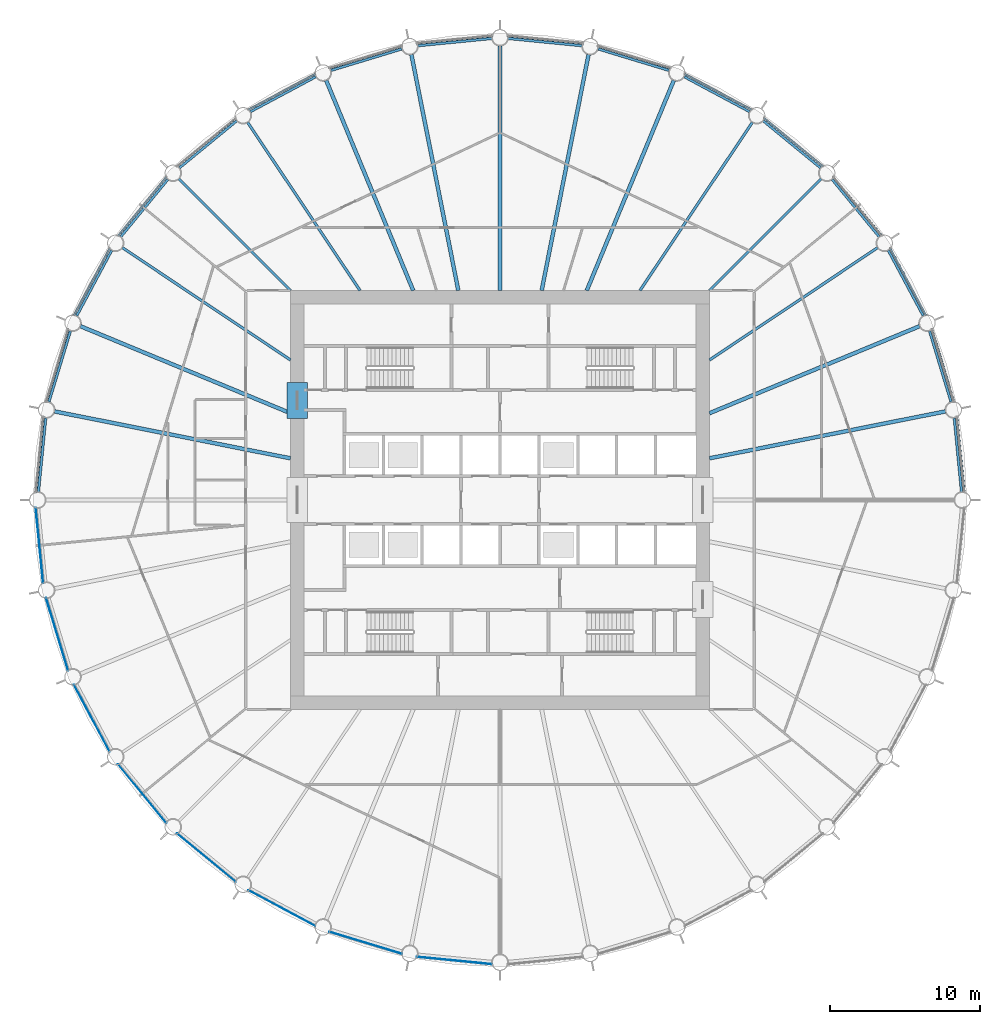
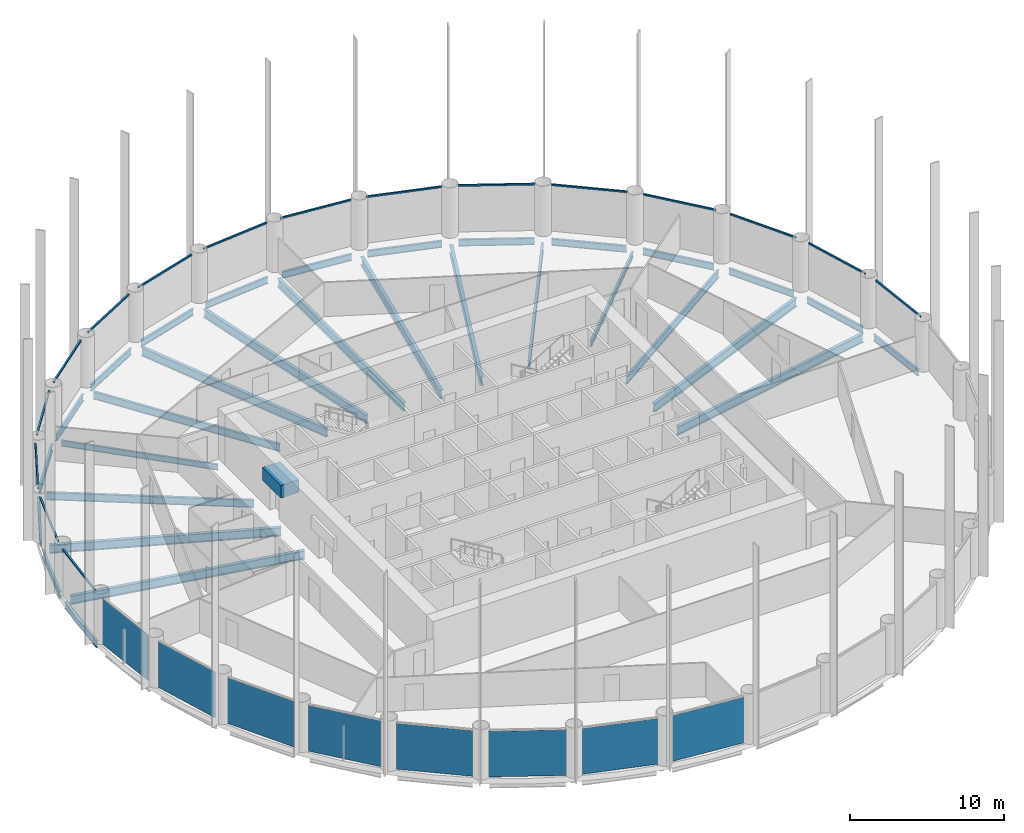
# One storey, part 2 of 10: 32 beams, 16 members, 8 plates, 24 elements without a shape of their own.
"""IFC4 building model written with IfcOpenShell, lengths in metres."""

from ifc_helpers import new_model, si_unit, direction, frame, origin, origin_2d, place, context, subcontext, project, spatial, rectangle, i_section, extrude, material, layer, layer_set, material_profile, profile_set, type_object, element, aggregate, save


model = new_model("IFC4")

# Units and contexts
model_context = context("Model", 3, precision=1e-05, world=origin(), true_north=direction((0.0, 1.0)))
body_context = subcontext(model_context, "Body", "Model", "MODEL_VIEW")
ifc_project = project(units=[si_unit("LENGTHUNIT", "METRE"), si_unit("AREAUNIT", "SQUARE_METRE"), si_unit("VOLUMEUNIT", "CUBIC_METRE"), si_unit("PLANEANGLEUNIT", "RADIAN"), si_unit("MASSUNIT", "GRAM", prefix="KILO")], contexts=[model_context])

# Site, building, storey
site_placement = place(None, origin())
site = spatial("IfcSite", under=ifc_project, at=site_placement, CompositionType="ELEMENT")
building_placement = place(site_placement, origin())
building = spatial("IfcBuilding", under=site, at=building_placement, Name="Corvane Civic Tower", CompositionType="ELEMENT")
storey_placement = place(building_placement, frame((0.0, 0.0, 144.0)))
storey = spatial("IfcBuildingStorey", under=building, at=storey_placement, Name="L33", CompositionType="ELEMENT", Elevation=144.0)

# Beams
ifc_material_1 = material(Name="Concrete C60/75", Category="concrete")
ifc_material_profile_1 = material_profile(ifc_material_1, rectangle(XDim=1.35009765625, YDim=1.0, at=origin_2d()), Name="COUPLING BEAM 1350X1000")
ifc_profile_set_1 = profile_set([ifc_material_profile_1], Name="Concrete C60/75")
beam_type_1 = type_object("IfcBeamType", Name="COUPLING BEAM COUPLING BEAM 1350X1000", PredefinedType="BEAM", material=ifc_profile_set_1)
beam_1_placement = place(storey_placement, frame((-13.550048828125, 5.449951171875, 2.60009765625), z_axis=(0.0, 1.0, 0.0), x_axis=(-1.0, 0.0, 0.0)))
element("IfcBeam", 1, at=beam_1_placement, inside=storey, type_object=beam_type_1, Name="BM-L33-cpl-CW-WN", PredefinedType="BEAM", context=body_context, shape_type="SweptSolid", body=[
    extrude(rectangle(XDim=1.35009765625, YDim=1.0, at=origin_2d()), origin(), (0.0, 0.0, 1.0), 2.400146484375),
])
ifc_material_2 = material(Name="Steel ASTM A992 Gr 50", Category="steel")
ifc_material_profile_2 = material_profile(ifc_material_2, i_section(OverallWidth=0.165771484375, OverallDepth=0.5283203125, WebThickness=0.009765625, FlangeThickness=0.013671875, at=origin_2d()), Name="W21X50")
ifc_profile_set_2 = profile_set([ifc_material_profile_2], Name="Steel ASTM A992 Gr 50")
beam_type_2 = type_object("IfcBeamType", Name="EDGE BEAM W21X50", PredefinedType="BEAM", material=ifc_profile_set_2)
beam_2_placement = place(storey_placement, frame((0.54736328125, 30.845947265625, -0.714111328125), z_axis=(0.995186236294, -0.09800181167, 0.0), x_axis=(0.09800181167, 0.995186236294, 0.0)))
element("IfcBeam", 2, at=beam_2_placement, inside=storey, type_object=beam_type_2, Name="BM-L33-E01", PredefinedType="BEAM", context=body_context, shape_type="SweptSolid", body=[
    extrude(i_section(OverallWidth=0.165771484375, OverallDepth=0.5283203125, WebThickness=0.009765625, FlangeThickness=0.013671875, at=origin_2d()), origin(), (0.0, 0.0, 1.0), 4.95751953125),
])
beam_3_placement = place(storey_placement, frame((6.5546875, 30.146484375, -0.714111328125), z_axis=(0.956944842086, -0.290269821381, 0.0), x_axis=(0.290269821381, 0.956944842086, 0.0)))
element("IfcBeam", 3, at=beam_3_placement, inside=storey, type_object=beam_type_2, Name="BM-L33-E02", PredefinedType="BEAM", context=body_context, shape_type="SweptSolid", body=[
    extrude(i_section(OverallWidth=0.165771484375, OverallDepth=0.5283203125, WebThickness=0.009765625, FlangeThickness=0.013671875, at=origin_2d()), origin(), (0.0, 0.0, 1.0), 4.957275390625),
])
for number, where, z_axis, x_axis, name in (
    (4, (12.31005859375, 28.28857421875, -0.714111328125), (0.881921784846, -0.471395763042, 0.0), (0.471395763042, 0.881921784846, 0.0), "BM-L33-E03"),
    (5, (17.59228515625, 25.343505859375, -0.714111328125), (0.77301516208, -0.634387546532, 0.0), (0.634387546532, 0.77301516208, 0.0), "BM-L33-E04"),
    (6, (22.198486328125, 21.424560546875, -0.714111328125), (0.634387546532, -0.77301516208, 0.0), (0.77301516208, 0.634387546532, 0.0), "BM-L33-E05"),
    (7, (25.95166015625, 16.68212890625, -0.714111328125), (0.471395763042, -0.881921784846, 0.0), (0.881921784846, 0.471395763042, 0.0), "BM-L33-E06"),
):
    element("IfcBeam", number, at=place(storey_placement, frame(where, z_axis=z_axis, x_axis=x_axis)), inside=storey, type_object=beam_type_2, Name=name, PredefinedType="BEAM", context=body_context, shape_type="SweptSolid", body=[
        extrude(i_section(OverallWidth=0.165771484375, OverallDepth=0.5283203125, WebThickness=0.009765625, FlangeThickness=0.013671875, at=origin_2d()), origin(), (0.0, 0.0, 1.0), 4.95751953125),
    ])
beam_4_placement = place(storey_placement, frame((28.70751953125, 11.298583984375, -0.714111328125), z_axis=(0.290269821381, -0.956944842086, 0.0), x_axis=(0.956944842086, 0.290269821381, 0.0)))
element("IfcBeam", 8, at=beam_4_placement, inside=storey, type_object=beam_type_2, Name="BM-L33-E07", PredefinedType="BEAM", context=body_context, shape_type="SweptSolid", body=[
    extrude(i_section(OverallWidth=0.165771484375, OverallDepth=0.5283203125, WebThickness=0.009765625, FlangeThickness=0.013671875, at=origin_2d()), origin(), (0.0, 0.0, 1.0), 4.957275390625),
])
for number, where, z_axis, x_axis, name in (
    (9, (30.360107421875, 5.48095703125, -0.714111328125), (0.09800181167, -0.995186236294, 0.0), (0.995186236294, 0.09800181167, 0.0), "BM-L33-E08"),
    (10, (-30.845947265625, 0.54736328125, -0.714111328125), (0.09800181167, 0.995186236294, 0.0), (-0.995186236294, 0.09800181167, 0.0), "BM-L33-E25"),
):
    element("IfcBeam", number, at=place(storey_placement, frame(where, z_axis=z_axis, x_axis=x_axis)), inside=storey, type_object=beam_type_2, Name=name, PredefinedType="BEAM", context=body_context, shape_type="SweptSolid", body=[
        extrude(i_section(OverallWidth=0.165771484375, OverallDepth=0.5283203125, WebThickness=0.009765625, FlangeThickness=0.013671875, at=origin_2d()), origin(), (0.0, 0.0, 1.0), 4.95751953125),
    ])
beam_5_placement = place(storey_placement, frame((-30.146484375, 6.5546875, -0.714111328125), z_axis=(0.290269821381, 0.956944842086, 0.0), x_axis=(-0.956944842086, 0.290269821381, 0.0)))
element("IfcBeam", 11, at=beam_5_placement, inside=storey, type_object=beam_type_2, Name="BM-L33-E26", PredefinedType="BEAM", context=body_context, shape_type="SweptSolid", body=[
    extrude(i_section(OverallWidth=0.165771484375, OverallDepth=0.5283203125, WebThickness=0.009765625, FlangeThickness=0.013671875, at=origin_2d()), origin(), (0.0, 0.0, 1.0), 4.957275390625),
])
for number, where, z_axis, x_axis, name in (
    (12, (-28.28857421875, 12.31005859375, -0.714111328125), (0.471395763042, 0.881921784846, 0.0), (-0.881921784846, 0.471395763042, 0.0), "BM-L33-E27"),
    (13, (-25.343505859375, 17.59228515625, -0.714111328125), (0.634387546532, 0.77301516208, 0.0), (-0.77301516208, 0.634387546532, 0.0), "BM-L33-E28"),
    (14, (-21.424560546875, 22.198486328125, -0.714111328125), (0.77301516208, 0.634387546532, 0.0), (-0.634387546532, 0.77301516208, 0.0), "BM-L33-E29"),
    (15, (-16.68212890625, 25.95166015625, -0.714111328125), (0.881921784846, 0.471395763042, 0.0), (-0.471395763042, 0.881921784846, 0.0), "BM-L33-E30"),
):
    element("IfcBeam", number, at=place(storey_placement, frame(where, z_axis=z_axis, x_axis=x_axis)), inside=storey, type_object=beam_type_2, Name=name, PredefinedType="BEAM", context=body_context, shape_type="SweptSolid", body=[
        extrude(i_section(OverallWidth=0.165771484375, OverallDepth=0.5283203125, WebThickness=0.009765625, FlangeThickness=0.013671875, at=origin_2d()), origin(), (0.0, 0.0, 1.0), 4.95751953125),
    ])
beam_6_placement = place(storey_placement, frame((-11.298583984375, 28.70751953125, -0.714111328125), z_axis=(0.956944842086, 0.290269821381, 0.0), x_axis=(-0.290269821381, 0.956944842086, 0.0)))
element("IfcBeam", 16, at=beam_6_placement, inside=storey, type_object=beam_type_2, Name="BM-L33-E31", PredefinedType="BEAM", context=body_context, shape_type="SweptSolid", body=[
    extrude(i_section(OverallWidth=0.165771484375, OverallDepth=0.5283203125, WebThickness=0.009765625, FlangeThickness=0.013671875, at=origin_2d()), origin(), (0.0, 0.0, 1.0), 4.957275390625),
])
beam_7_placement = place(storey_placement, frame((-5.48095703125, 30.360107421875, -0.714111328125), z_axis=(0.995186236294, 0.09800181167, 0.0), x_axis=(-0.09800181167, 0.995186236294, 0.0)))
element("IfcBeam", 17, at=beam_7_placement, inside=storey, type_object=beam_type_2, Name="BM-L33-E32", PredefinedType="BEAM", context=body_context, shape_type="SweptSolid", body=[
    extrude(i_section(OverallWidth=0.165771484375, OverallDepth=0.5283203125, WebThickness=0.009765625, FlangeThickness=0.013671875, at=origin_2d()), origin(), (0.0, 0.0, 1.0), 4.95751953125),
])
ifc_material_3 = material(Name="Steel ASTM A992 Gr 50", Category="steel")
ifc_material_profile_3 = material_profile(ifc_material_3, i_section(OverallWidth=0.15283203125, OverallDepth=0.45458984375, WebThickness=0.008056640625, FlangeThickness=0.013427734375, at=origin_2d()), Name="W18X40")
ifc_profile_set_3 = profile_set([ifc_material_profile_3], Name="Steel ASTM A992 Gr 50")
beam_type_3 = type_object("IfcBeamType", Name="FLOOR GIRDER W18X40", PredefinedType="BEAM", material=ifc_profile_set_3)
for number, where, z_axis, x_axis, name in (
    (18, (14.0, 14.0, -0.67724609375), (0.707106781187, 0.707106781187, 0.0), (-0.707106781187, 0.707106781187, 0.0), "BM-L33-G05"),
    (19, (-14.0, 14.0, -0.67724609375), (-0.707106781187, 0.707106781187, 0.0), (-0.707106781187, -0.707106781187, 0.0), "BM-L33-G29"),
):
    element("IfcBeam", number, at=place(storey_placement, frame(where, z_axis=z_axis, x_axis=x_axis)), inside=storey, type_object=beam_type_3, Name=name, PredefinedType="BEAM", context=body_context, shape_type="SweptSolid", body=[
        extrude(i_section(OverallWidth=0.15283203125, OverallDepth=0.45458984375, WebThickness=0.008056640625, FlangeThickness=0.013427734375, at=origin_2d()), origin(), (0.0, 0.0, 1.0), 10.551025390625),
    ])
ifc_material_4 = material(Name="Steel ASTM A992 Gr 50", Category="steel")
ifc_material_profile_4 = material_profile(ifc_material_4, i_section(OverallWidth=0.177978515625, OverallDepth=0.599365234375, WebThickness=0.010009765625, FlangeThickness=0.012939453125, at=origin_2d()), Name="W24X55")
ifc_profile_set_4 = profile_set([ifc_material_profile_4], Name="Steel ASTM A992 Gr 50")
beam_type_4 = type_object("IfcBeamType", Name="FLOOR GIRDER W24X55", PredefinedType="BEAM", material=ifc_profile_set_4)
for number, where, z_axis, x_axis, name in (
    (20, (9.3544921875, 14.0, -0.749755859375), (0.555571323015, 0.83146888399, 0.0), (-0.83146888399, 0.555571323015, 0.0), "BM-L33-G04"),
    (21, (14.0, 9.3544921875, -0.749755859375), (0.83146888399, 0.555571323015, 0.0), (-0.555571323015, 0.83146888399, 0.0), "BM-L33-G06"),
    (22, (-14.0, 9.3544921875, -0.749755859375), (-0.83146888399, 0.555571323015, 0.0), (-0.555571323015, -0.83146888399, 0.0), "BM-L33-G28"),
    (23, (-9.3544921875, 14.0, -0.749755859375), (-0.555571323015, 0.83146888399, 0.0), (-0.83146888399, -0.555571323015, 0.0), "BM-L33-G30"),
):
    element("IfcBeam", number, at=place(storey_placement, frame(where, z_axis=z_axis, x_axis=x_axis)), inside=storey, type_object=beam_type_4, Name=name, PredefinedType="BEAM", context=body_context, shape_type="SweptSolid", body=[
        extrude(i_section(OverallWidth=0.177978515625, OverallDepth=0.599365234375, WebThickness=0.010009765625, FlangeThickness=0.012939453125, at=origin_2d()), origin(), (0.0, 0.0, 1.0), 13.512451171875),
    ])
ifc_material_5 = material(Name="Steel ASTM A992 Gr 50", Category="steel")
ifc_material_profile_5 = material_profile(ifc_material_5, i_section(OverallWidth=0.25390625, OverallDepth=0.67822265625, WebThickness=0.01171875, FlangeThickness=0.016357421875, at=origin_2d()), Name="W27X84")
ifc_profile_set_5 = profile_set([ifc_material_profile_5], Name="Steel ASTM A992 Gr 50")
beam_type_5 = type_object("IfcBeamType", Name="FLOOR GIRDER W27X84", PredefinedType="BEAM", material=ifc_profile_set_5)
beam_8_placement = place(storey_placement, frame((0.0, 14.0, -0.7890625), z_axis=(0.0, 1.0, 0.0), x_axis=(-1.0, 0.0, 0.0)))
element("IfcBeam", 24, at=beam_8_placement, inside=storey, type_object=beam_type_5, Name="BM-L33-G01", PredefinedType="BEAM", context=body_context, shape_type="SweptSolid", body=[
    extrude(i_section(OverallWidth=0.25390625, OverallDepth=0.67822265625, WebThickness=0.01171875, FlangeThickness=0.016357421875, at=origin_2d()), origin(), (0.0, 0.0, 1.0), 16.35009765625),
])
beam_9_placement = place(storey_placement, frame((2.78466796875, 14.0, -0.7890625), z_axis=(0.195090912248, 0.980785162999, 0.0), x_axis=(-0.980785162999, 0.195090912248, 0.0)))
element("IfcBeam", 25, at=beam_9_placement, inside=storey, type_object=beam_type_5, Name="BM-L33-G02", PredefinedType="BEAM", context=body_context, shape_type="SweptSolid", body=[
    extrude(i_section(OverallWidth=0.25390625, OverallDepth=0.67822265625, WebThickness=0.01171875, FlangeThickness=0.016357421875, at=origin_2d()), origin(), (0.0, 0.0, 1.0), 16.07568359375),
])
for number, where, z_axis, x_axis, name in (
    (26, (5.799072265625, 14.0, -0.7890625), (0.38268097323, 0.923880551114, 0.0), (-0.923880551114, 0.38268097323, 0.0), "BM-L33-G03"),
    (27, (14.0, 5.799072265625, -0.7890625), (0.923880551114, 0.38268097323, 0.0), (-0.38268097323, 0.923880551114, 0.0), "BM-L33-G07"),
):
    element("IfcBeam", number, at=place(storey_placement, frame(where, z_axis=z_axis, x_axis=x_axis)), inside=storey, type_object=beam_type_5, Name=name, PredefinedType="BEAM", context=body_context, shape_type="SweptSolid", body=[
        extrude(i_section(OverallWidth=0.25390625, OverallDepth=0.67822265625, WebThickness=0.01171875, FlangeThickness=0.016357421875, at=origin_2d()), origin(), (0.0, 0.0, 1.0), 15.196533203125),
    ])
for number, where, z_axis, x_axis, name in (
    (28, (14.0, 2.78466796875, -0.7890625), (0.980785162999, 0.195090912248, 0.0), (-0.195090912248, 0.980785162999, 0.0), "BM-L33-G08"),
    (29, (-14.0, 2.78466796875, -0.7890625), (-0.980785162999, 0.195090912248, 0.0), (-0.195090912248, -0.980785162999, 0.0), "BM-L33-G26"),
):
    element("IfcBeam", number, at=place(storey_placement, frame(where, z_axis=z_axis, x_axis=x_axis)), inside=storey, type_object=beam_type_5, Name=name, PredefinedType="BEAM", context=body_context, shape_type="SweptSolid", body=[
        extrude(i_section(OverallWidth=0.25390625, OverallDepth=0.67822265625, WebThickness=0.01171875, FlangeThickness=0.016357421875, at=origin_2d()), origin(), (0.0, 0.0, 1.0), 16.07568359375),
    ])
for number, where, z_axis, x_axis, name in (
    (30, (-14.0, 5.799072265625, -0.7890625), (-0.923880551114, 0.38268097323, 0.0), (-0.38268097323, -0.923880551114, 0.0), "BM-L33-G27"),
    (31, (-5.799072265625, 14.0, -0.7890625), (-0.38268097323, 0.923880551114, 0.0), (-0.923880551114, -0.38268097323, 0.0), "BM-L33-G31"),
):
    element("IfcBeam", number, at=place(storey_placement, frame(where, z_axis=z_axis, x_axis=x_axis)), inside=storey, type_object=beam_type_5, Name=name, PredefinedType="BEAM", context=body_context, shape_type="SweptSolid", body=[
        extrude(i_section(OverallWidth=0.25390625, OverallDepth=0.67822265625, WebThickness=0.01171875, FlangeThickness=0.016357421875, at=origin_2d()), origin(), (0.0, 0.0, 1.0), 15.196533203125),
    ])
beam_10_placement = place(storey_placement, frame((-2.78466796875, 14.0, -0.7890625), z_axis=(-0.195090912248, 0.980785162999, 0.0), x_axis=(-0.980785162999, -0.195090912248, 0.0)))
element("IfcBeam", 32, at=beam_10_placement, inside=storey, type_object=beam_type_5, Name="BM-L33-G32", PredefinedType="BEAM", context=body_context, shape_type="SweptSolid", body=[
    extrude(i_section(OverallWidth=0.25390625, OverallDepth=0.67822265625, WebThickness=0.01171875, FlangeThickness=0.016357421875, at=origin_2d()), origin(), (0.0, 0.0, 1.0), 16.07568359375),
])

# Curtain wall, member
ifc_material_6 = material(Name="Anodised aluminium bronze", Category="aluminium")
curtain_wall_type = type_object("IfcCurtainWallType", Name="TOWER CW-T2 STICK CURTAIN WALL", PredefinedType="NOTDEFINED", material=ifc_material_6)
curtain_wall_1_placement = place(storey_placement, origin())
curtain_wall_1 = element("IfcCurtainWall", 33, at=curtain_wall_1_placement, inside=storey, type_object=curtain_wall_type, Name="Curtain wall CW-T2 L33 bay 01", PredefinedType="NOTDEFINED")
ifc_material_7 = material(Name="Anodised aluminium bronze", Category="aluminium")
ifc_material_profile_6 = material_profile(ifc_material_7, rectangle(XDim=0.1201171875, YDim=0.1201171875, at=origin_2d()), Name="TOWER CW-T2 TRANSOM 120x120")
ifc_profile_set_6 = profile_set([ifc_material_profile_6], Name="Anodised aluminium bronze")
member_type = type_object("IfcMemberType", Name="TOWER CW-T2 TRANSOM 120x120", PredefinedType="USERDEFINED", material=ifc_profile_set_6)
member_1_placement = place(storey_placement, frame((0.505126953125, 31.0302734375, 3.68994140625), z_axis=(0.995187423416, -0.097989755963, 0.0), x_axis=(0.097989755963, 0.995187423416, 0.0)))
member_1 = element("IfcMember", 34, at=member_1_placement, type_object=member_type, Name="Transom CW-T2 L33 01.1", ObjectType="TRANSOM", PredefinedType="USERDEFINED", context=body_context, shape_type="SweptSolid", body=[
    extrude(rectangle(XDim=0.1201171875, YDim=0.1201171875, at=origin_2d()), origin(), (0.0, 0.0, 1.0), 5.07763671875),
])
aggregate(curtain_wall_1, [member_1])

curtain_wall_2_placement = place(storey_placement, origin())
curtain_wall_2 = element("IfcCurtainWall", 35, at=curtain_wall_2_placement, inside=storey, type_object=curtain_wall_type, Name="Curtain wall CW-T2 L33 bay 02", PredefinedType="NOTDEFINED")
member_2_placement = place(storey_placement, frame((6.54931640625, 30.33544921875, 3.68994140625), z_axis=(0.956939031389, -0.290288977061, 0.0), x_axis=(0.290288977061, 0.956939031389, 0.0)))
member_2 = element("IfcMember", 36, at=member_2_placement, type_object=member_type, Name="Transom CW-T2 L33 02.1", ObjectType="TRANSOM", PredefinedType="USERDEFINED", context=body_context, shape_type="SweptSolid", body=[
    extrude(rectangle(XDim=0.1201171875, YDim=0.1201171875, at=origin_2d()), origin(), (0.0, 0.0, 1.0), 5.077392578125),
])
aggregate(curtain_wall_2, [member_2])

curtain_wall_3_placement = place(storey_placement, origin())
curtain_wall_3 = element("IfcCurtainWall", 37, at=curtain_wall_3_placement, inside=storey, type_object=curtain_wall_type, Name="Curtain wall CW-T2 L33 bay 03", PredefinedType="NOTDEFINED")
member_3_placement = place(storey_placement, frame((12.341552734375, 28.474853515625, 3.68994140625), z_axis=(0.881921329426, -0.471396615074, 0.0), x_axis=(0.471396615074, 0.881921329426, 0.0)))
member_3 = element("IfcMember", 38, at=member_3_placement, type_object=member_type, Name="Transom CW-T2 L33 03.1", ObjectType="TRANSOM", PredefinedType="USERDEFINED", context=body_context, shape_type="SweptSolid", body=[
    extrude(rectangle(XDim=0.1201171875, YDim=0.1201171875, at=origin_2d()), origin(), (0.0, 0.0, 1.0), 5.07763671875),
])
aggregate(curtain_wall_3, [member_3])

curtain_wall_4_placement = place(storey_placement, origin())
curtain_wall_4 = element("IfcCurtainWall", 39, at=curtain_wall_4_placement, inside=storey, type_object=curtain_wall_type, Name="Curtain wall CW-T2 L33 bay 04", PredefinedType="NOTDEFINED")
member_4_placement = place(storey_placement, frame((17.65966796875, 25.519775390625, 3.68994140625), z_axis=(0.773015929719, -0.634386611146, 0.0), x_axis=(0.634386611146, 0.773015929719, 0.0)))
member_4 = element("IfcMember", 40, at=member_4_placement, type_object=member_type, Name="Transom CW-T2 L33 04.1", ObjectType="TRANSOM", PredefinedType="USERDEFINED", context=body_context, shape_type="SweptSolid", body=[
    extrude(rectangle(XDim=0.1201171875, YDim=0.1201171875, at=origin_2d()), origin(), (0.0, 0.0, 1.0), 5.0771484375),
])
aggregate(curtain_wall_4, [member_4])

curtain_wall_5_placement = place(storey_placement, origin())
curtain_wall_5 = element("IfcCurtainWall", 41, at=curtain_wall_5_placement, inside=storey, type_object=curtain_wall_type, Name="Curtain wall CW-T2 L33 bay 05", PredefinedType="NOTDEFINED")
member_5_placement = place(storey_placement, frame((22.298828125, 21.58447265625, 3.68994140625), z_axis=(0.634386611146, -0.773015929719, 0.0), x_axis=(0.773015929719, 0.634386611146, 0.0)))
member_5 = element("IfcMember", 42, at=member_5_placement, type_object=member_type, Name="Transom CW-T2 L33 05.1", ObjectType="TRANSOM", PredefinedType="USERDEFINED", context=body_context, shape_type="SweptSolid", body=[
    extrude(rectangle(XDim=0.1201171875, YDim=0.1201171875, at=origin_2d()), origin(), (0.0, 0.0, 1.0), 5.0771484375),
])
aggregate(curtain_wall_5, [member_5])

curtain_wall_6_placement = place(storey_placement, origin())
curtain_wall_6 = element("IfcCurtainWall", 43, at=curtain_wall_6_placement, inside=storey, type_object=curtain_wall_type, Name="Curtain wall CW-T2 L33 bay 06", PredefinedType="NOTDEFINED")
member_6_placement = place(storey_placement, frame((26.081298828125, 16.819580078125, 3.68994140625), z_axis=(0.471396615074, -0.881921329426, 0.0), x_axis=(0.881921329426, 0.471396615074, 0.0)))
member_6 = element("IfcMember", 44, at=member_6_placement, type_object=member_type, Name="Transom CW-T2 L33 06.1", ObjectType="TRANSOM", PredefinedType="USERDEFINED", context=body_context, shape_type="SweptSolid", body=[
    extrude(rectangle(XDim=0.1201171875, YDim=0.1201171875, at=origin_2d()), origin(), (0.0, 0.0, 1.0), 5.07763671875),
])
aggregate(curtain_wall_6, [member_6])

curtain_wall_7_placement = place(storey_placement, origin())
curtain_wall_7 = element("IfcCurtainWall", 45, at=curtain_wall_7_placement, inside=storey, type_object=curtain_wall_type, Name="Curtain wall CW-T2 L33 bay 07", PredefinedType="NOTDEFINED")
member_7_placement = place(storey_placement, frame((28.861572265625, 11.407958984375, 3.68994140625), z_axis=(0.290288977061, -0.956939031389, 0.0), x_axis=(0.956939031389, 0.290288977061, 0.0)))
member_7 = element("IfcMember", 46, at=member_7_placement, type_object=member_type, Name="Transom CW-T2 L33 07.1", ObjectType="TRANSOM", PredefinedType="USERDEFINED", context=body_context, shape_type="SweptSolid", body=[
    extrude(rectangle(XDim=0.1201171875, YDim=0.1201171875, at=origin_2d()), origin(), (0.0, 0.0, 1.0), 5.077392578125),
])
aggregate(curtain_wall_7, [member_7])

curtain_wall_8_placement = place(storey_placement, origin())
curtain_wall_8 = element("IfcCurtainWall", 47, at=curtain_wall_8_placement, inside=storey, type_object=curtain_wall_type, Name="Curtain wall CW-T2 L33 bay 08", PredefinedType="NOTDEFINED")
member_8_placement = place(storey_placement, frame((30.53271484375, 5.558349609375, 3.68994140625), z_axis=(0.097989755963, -0.995187423416, 0.0), x_axis=(0.995187423416, 0.097989755963, 0.0)))
member_8 = element("IfcMember", 48, at=member_8_placement, type_object=member_type, Name="Transom CW-T2 L33 08.1", ObjectType="TRANSOM", PredefinedType="USERDEFINED", context=body_context, shape_type="SweptSolid", body=[
    extrude(rectangle(XDim=0.1201171875, YDim=0.1201171875, at=origin_2d()), origin(), (0.0, 0.0, 1.0), 5.07763671875),
])
aggregate(curtain_wall_8, [member_8])

curtain_wall_9_placement = place(storey_placement, origin())
curtain_wall_9 = element("IfcCurtainWall", 49, at=curtain_wall_9_placement, inside=storey, type_object=curtain_wall_type, Name="Curtain wall CW-T2 L33 bay 25", PredefinedType="NOTDEFINED")
member_9_placement = place(storey_placement, frame((-31.0302734375, 0.505126953125, 3.68994140625), z_axis=(0.097989755963, 0.995187423416, 0.0), x_axis=(-0.995187423416, 0.097989755963, 0.0)))
member_9 = element("IfcMember", 50, at=member_9_placement, type_object=member_type, Name="Transom CW-T2 L33 25.1", ObjectType="TRANSOM", PredefinedType="USERDEFINED", context=body_context, shape_type="SweptSolid", body=[
    extrude(rectangle(XDim=0.1201171875, YDim=0.1201171875, at=origin_2d()), origin(), (0.0, 0.0, 1.0), 5.07763671875),
])
aggregate(curtain_wall_9, [member_9])

curtain_wall_10_placement = place(storey_placement, origin())
curtain_wall_10 = element("IfcCurtainWall", 51, at=curtain_wall_10_placement, inside=storey, type_object=curtain_wall_type, Name="Curtain wall CW-T2 L33 bay 26", PredefinedType="NOTDEFINED")
member_10_placement = place(storey_placement, frame((-30.33544921875, 6.54931640625, 3.68994140625), z_axis=(0.290288977061, 0.956939031389, 0.0), x_axis=(-0.956939031389, 0.290288977061, 0.0)))
member_10 = element("IfcMember", 52, at=member_10_placement, type_object=member_type, Name="Transom CW-T2 L33 26.1", ObjectType="TRANSOM", PredefinedType="USERDEFINED", context=body_context, shape_type="SweptSolid", body=[
    extrude(rectangle(XDim=0.1201171875, YDim=0.1201171875, at=origin_2d()), origin(), (0.0, 0.0, 1.0), 5.077392578125),
])
aggregate(curtain_wall_10, [member_10])

curtain_wall_11_placement = place(storey_placement, origin())
curtain_wall_11 = element("IfcCurtainWall", 53, at=curtain_wall_11_placement, inside=storey, type_object=curtain_wall_type, Name="Curtain wall CW-T2 L33 bay 27", PredefinedType="NOTDEFINED")
member_11_placement = place(storey_placement, frame((-28.474853515625, 12.341552734375, 3.68994140625), z_axis=(0.471396615074, 0.881921329426, 0.0), x_axis=(-0.881921329426, 0.471396615074, 0.0)))
member_11 = element("IfcMember", 54, at=member_11_placement, type_object=member_type, Name="Transom CW-T2 L33 27.1", ObjectType="TRANSOM", PredefinedType="USERDEFINED", context=body_context, shape_type="SweptSolid", body=[
    extrude(rectangle(XDim=0.1201171875, YDim=0.1201171875, at=origin_2d()), origin(), (0.0, 0.0, 1.0), 5.07763671875),
])
aggregate(curtain_wall_11, [member_11])

curtain_wall_12_placement = place(storey_placement, origin())
curtain_wall_12 = element("IfcCurtainWall", 55, at=curtain_wall_12_placement, inside=storey, type_object=curtain_wall_type, Name="Curtain wall CW-T2 L33 bay 28", PredefinedType="NOTDEFINED")
member_12_placement = place(storey_placement, frame((-25.519775390625, 17.65966796875, 3.68994140625), z_axis=(0.634386611146, 0.773015929719, 0.0), x_axis=(-0.773015929719, 0.634386611146, 0.0)))
member_12 = element("IfcMember", 56, at=member_12_placement, type_object=member_type, Name="Transom CW-T2 L33 28.1", ObjectType="TRANSOM", PredefinedType="USERDEFINED", context=body_context, shape_type="SweptSolid", body=[
    extrude(rectangle(XDim=0.1201171875, YDim=0.1201171875, at=origin_2d()), origin(), (0.0, 0.0, 1.0), 5.0771484375),
])
aggregate(curtain_wall_12, [member_12])

curtain_wall_13_placement = place(storey_placement, origin())
curtain_wall_13 = element("IfcCurtainWall", 57, at=curtain_wall_13_placement, inside=storey, type_object=curtain_wall_type, Name="Curtain wall CW-T2 L33 bay 29", PredefinedType="NOTDEFINED")
member_13_placement = place(storey_placement, frame((-21.58447265625, 22.298828125, 3.68994140625), z_axis=(0.773015929719, 0.634386611146, 0.0), x_axis=(-0.634386611146, 0.773015929719, 0.0)))
member_13 = element("IfcMember", 58, at=member_13_placement, type_object=member_type, Name="Transom CW-T2 L33 29.1", ObjectType="TRANSOM", PredefinedType="USERDEFINED", context=body_context, shape_type="SweptSolid", body=[
    extrude(rectangle(XDim=0.1201171875, YDim=0.1201171875, at=origin_2d()), origin(), (0.0, 0.0, 1.0), 5.0771484375),
])
aggregate(curtain_wall_13, [member_13])

curtain_wall_14_placement = place(storey_placement, origin())
curtain_wall_14 = element("IfcCurtainWall", 59, at=curtain_wall_14_placement, inside=storey, type_object=curtain_wall_type, Name="Curtain wall CW-T2 L33 bay 30", PredefinedType="NOTDEFINED")
member_14_placement = place(storey_placement, frame((-16.819580078125, 26.081298828125, 3.68994140625), z_axis=(0.881921329426, 0.471396615074, 0.0), x_axis=(-0.471396615074, 0.881921329426, 0.0)))
member_14 = element("IfcMember", 60, at=member_14_placement, type_object=member_type, Name="Transom CW-T2 L33 30.1", ObjectType="TRANSOM", PredefinedType="USERDEFINED", context=body_context, shape_type="SweptSolid", body=[
    extrude(rectangle(XDim=0.1201171875, YDim=0.1201171875, at=origin_2d()), origin(), (0.0, 0.0, 1.0), 5.07763671875),
])
aggregate(curtain_wall_14, [member_14])

curtain_wall_15_placement = place(storey_placement, origin())
curtain_wall_15 = element("IfcCurtainWall", 61, at=curtain_wall_15_placement, inside=storey, type_object=curtain_wall_type, Name="Curtain wall CW-T2 L33 bay 31", PredefinedType="NOTDEFINED")
member_15_placement = place(storey_placement, frame((-11.407958984375, 28.861572265625, 3.68994140625), z_axis=(0.956939031389, 0.290288977061, 0.0), x_axis=(-0.290288977061, 0.956939031389, 0.0)))
member_15 = element("IfcMember", 62, at=member_15_placement, type_object=member_type, Name="Transom CW-T2 L33 31.1", ObjectType="TRANSOM", PredefinedType="USERDEFINED", context=body_context, shape_type="SweptSolid", body=[
    extrude(rectangle(XDim=0.1201171875, YDim=0.1201171875, at=origin_2d()), origin(), (0.0, 0.0, 1.0), 5.077392578125),
])
aggregate(curtain_wall_15, [member_15])

curtain_wall_16_placement = place(storey_placement, origin())
curtain_wall_16 = element("IfcCurtainWall", 63, at=curtain_wall_16_placement, inside=storey, type_object=curtain_wall_type, Name="Curtain wall CW-T2 L33 bay 32", PredefinedType="NOTDEFINED")
member_16_placement = place(storey_placement, frame((-5.558349609375, 30.53271484375, 3.68994140625), z_axis=(0.995187423416, 0.097989755963, 0.0), x_axis=(-0.097989755963, 0.995187423416, 0.0)))
member_16 = element("IfcMember", 64, at=member_16_placement, type_object=member_type, Name="Transom CW-T2 L33 32.1", ObjectType="TRANSOM", PredefinedType="USERDEFINED", context=body_context, shape_type="SweptSolid", body=[
    extrude(rectangle(XDim=0.1201171875, YDim=0.1201171875, at=origin_2d()), origin(), (0.0, 0.0, 1.0), 5.07763671875),
])
aggregate(curtain_wall_16, [member_16])

# Curtain wall, plate
curtain_wall_17_placement = place(storey_placement, origin())
curtain_wall_17 = element("IfcCurtainWall", 65, at=curtain_wall_17_placement, inside=storey, type_object=curtain_wall_type, Name="Curtain wall CW-T2 L33 bay 17", PredefinedType="NOTDEFINED")
ifc_material_8 = material(Name="Tinted glass", Category="glass")
ifc_layer = layer(ifc_material_8, 0.031982421875)
ifc_layer_set = layer_set([ifc_layer], Name="Tinted glass")
plate_type = type_object("IfcPlateType", Name="TOWER CW-T2 PANEL IGU32", PredefinedType="CURTAIN_PANEL", material=ifc_layer_set)
plate_1_placement = place(storey_placement, frame((-3.03173828125, -30.781494140625, 0.0), z_axis=(0.0, 0.0, 1.0), x_axis=(-0.995185244531, 0.098011882274, 0.0)))
plate_1 = element("IfcPlate", 66, at=plate_1_placement, type_object=plate_type, Name="Glass panel CW-T2 L33 17.1", PredefinedType="CURTAIN_PANEL", context=body_context, shape_type="SweptSolid", body=[
    extrude(rectangle(XDim=5.07763671875, YDim=0.031982421875, at=origin_2d()), origin(), (0.0, 0.0, 1.0), 3.6298828125),
])
aggregate(curtain_wall_17, [plate_1])

curtain_wall_18_placement = place(storey_placement, origin())
curtain_wall_18 = element("IfcCurtainWall", 67, at=curtain_wall_18_placement, inside=storey, type_object=curtain_wall_type, Name="Curtain wall CW-T2 L33 bay 18", PredefinedType="NOTDEFINED")
plate_2_placement = place(storey_placement, frame((-8.978515625, -29.5986328125, 0.0), z_axis=(0.0, 0.0, 1.0), x_axis=(-0.956931677007, 0.290313219714, 0.0)))
plate_2 = element("IfcPlate", 68, at=plate_2_placement, type_object=plate_type, Name="Glass panel CW-T2 L33 18.1", PredefinedType="CURTAIN_PANEL", context=body_context, shape_type="SweptSolid", body=[
    extrude(rectangle(XDim=5.077392578125, YDim=0.031982421875, at=origin_2d()), origin(), (0.0, 0.0, 1.0), 3.6298828125),
])
aggregate(curtain_wall_18, [plate_2])

curtain_wall_19_placement = place(storey_placement, origin())
curtain_wall_19 = element("IfcCurtainWall", 69, at=curtain_wall_19_placement, inside=storey, type_object=curtain_wall_type, Name="Curtain wall CW-T2 L33 bay 19", PredefinedType="NOTDEFINED")
plate_3_placement = place(storey_placement, frame((-14.58056640625, -27.278076171875, 0.0), z_axis=(0.0, 0.0, 1.0), x_axis=(-0.881922190434, 0.471395004238, 0.0)))
plate_3 = element("IfcPlate", 70, at=plate_3_placement, type_object=plate_type, Name="Glass panel CW-T2 L33 19.1", PredefinedType="CURTAIN_PANEL", context=body_context, shape_type="SweptSolid", body=[
    extrude(rectangle(XDim=5.077392578125, YDim=0.031982421875, at=origin_2d()), origin(), (0.0, 0.0, 1.0), 3.6298828125),
])
aggregate(curtain_wall_19, [plate_3])

curtain_wall_20_placement = place(storey_placement, origin())
curtain_wall_20 = element("IfcCurtainWall", 71, at=curtain_wall_20_placement, inside=storey, type_object=curtain_wall_type, Name="Curtain wall CW-T2 L33 bay 20", PredefinedType="NOTDEFINED")
plate_4_placement = place(storey_placement, frame((-19.6220703125, -23.909423828125, 0.0), z_axis=(0.0, 0.0, 1.0), x_axis=(-0.773004844196, 0.634400118891, 0.0)))
plate_4 = element("IfcPlate", 72, at=plate_4_placement, type_object=plate_type, Name="Glass panel CW-T2 L33 20.1", PredefinedType="CURTAIN_PANEL", context=body_context, shape_type="SweptSolid", body=[
    extrude(rectangle(XDim=5.0771484375, YDim=0.031982421875, at=origin_2d()), origin(), (0.0, 0.0, 1.0), 3.6298828125),
])
aggregate(curtain_wall_20, [plate_4])

curtain_wall_21_placement = place(storey_placement, origin())
curtain_wall_21 = element("IfcCurtainWall", 73, at=curtain_wall_21_placement, inside=storey, type_object=curtain_wall_type, Name="Curtain wall CW-T2 L33 bay 21", PredefinedType="NOTDEFINED")
plate_5_placement = place(storey_placement, frame((-23.909423828125, -19.6220703125, 0.0), z_axis=(0.0, 0.0, 1.0), x_axis=(-0.634400118891, 0.773004844196, 0.0)))
plate_5 = element("IfcPlate", 74, at=plate_5_placement, type_object=plate_type, Name="Glass panel CW-T2 L33 21.1", PredefinedType="CURTAIN_PANEL", context=body_context, shape_type="SweptSolid", body=[
    extrude(rectangle(XDim=5.0771484375, YDim=0.031982421875, at=origin_2d()), origin(), (0.0, 0.0, 1.0), 3.6298828125),
])
aggregate(curtain_wall_21, [plate_5])

curtain_wall_22_placement = place(storey_placement, origin())
curtain_wall_22 = element("IfcCurtainWall", 75, at=curtain_wall_22_placement, inside=storey, type_object=curtain_wall_type, Name="Curtain wall CW-T2 L33 bay 22", PredefinedType="NOTDEFINED")
plate_6_placement = place(storey_placement, frame((-27.278076171875, -14.58056640625, 0.0), z_axis=(0.0, 0.0, 1.0), x_axis=(-0.471395004238, 0.881922190434, 0.0)))
plate_6 = element("IfcPlate", 76, at=plate_6_placement, type_object=plate_type, Name="Glass panel CW-T2 L33 22.1", PredefinedType="CURTAIN_PANEL", context=body_context, shape_type="SweptSolid", body=[
    extrude(rectangle(XDim=5.077392578125, YDim=0.031982421875, at=origin_2d()), origin(), (0.0, 0.0, 1.0), 3.6298828125),
])
aggregate(curtain_wall_22, [plate_6])

curtain_wall_23_placement = place(storey_placement, origin())
curtain_wall_23 = element("IfcCurtainWall", 77, at=curtain_wall_23_placement, inside=storey, type_object=curtain_wall_type, Name="Curtain wall CW-T2 L33 bay 23", PredefinedType="NOTDEFINED")
plate_7_placement = place(storey_placement, frame((-29.5986328125, -8.978515625, 0.0), z_axis=(0.0, 0.0, 1.0), x_axis=(-0.290313219714, 0.956931677007, 0.0)))
plate_7 = element("IfcPlate", 78, at=plate_7_placement, type_object=plate_type, Name="Glass panel CW-T2 L33 23.1", PredefinedType="CURTAIN_PANEL", context=body_context, shape_type="SweptSolid", body=[
    extrude(rectangle(XDim=5.077392578125, YDim=0.031982421875, at=origin_2d()), origin(), (0.0, 0.0, 1.0), 3.6298828125),
])
aggregate(curtain_wall_23, [plate_7])

curtain_wall_24_placement = place(storey_placement, origin())
curtain_wall_24 = element("IfcCurtainWall", 79, at=curtain_wall_24_placement, inside=storey, type_object=curtain_wall_type, Name="Curtain wall CW-T2 L33 bay 24", PredefinedType="NOTDEFINED")
plate_8_placement = place(storey_placement, frame((-30.781494140625, -3.03173828125, 0.0), z_axis=(0.0, 0.0, 1.0), x_axis=(-0.098011882274, 0.995185244531, 0.0)))
plate_8 = element("IfcPlate", 80, at=plate_8_placement, type_object=plate_type, Name="Glass panel CW-T2 L33 24.1", PredefinedType="CURTAIN_PANEL", context=body_context, shape_type="SweptSolid", body=[
    extrude(rectangle(XDim=5.07763671875, YDim=0.031982421875, at=origin_2d()), origin(), (0.0, 0.0, 1.0), 3.6298828125),
])
aggregate(curtain_wall_24, [plate_8])

save(model, "model.ifc")
